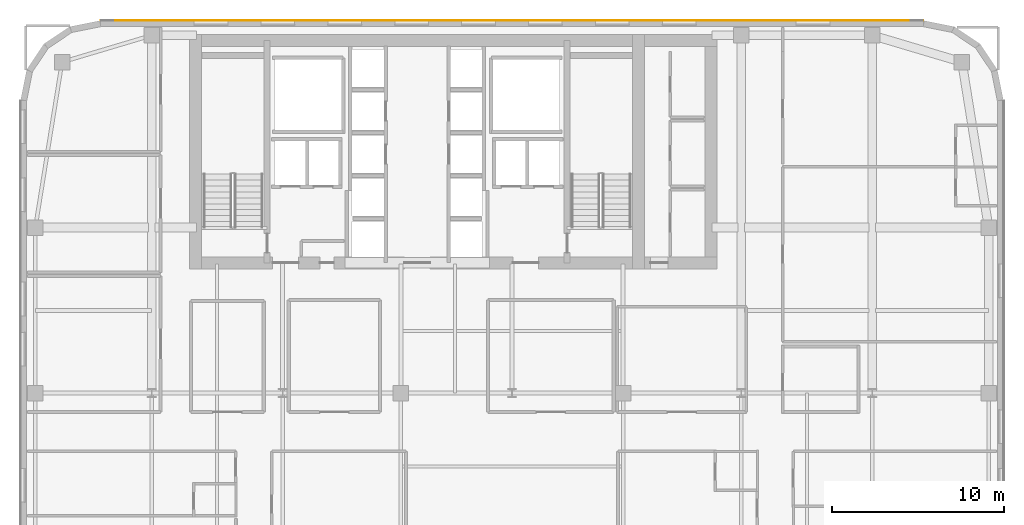
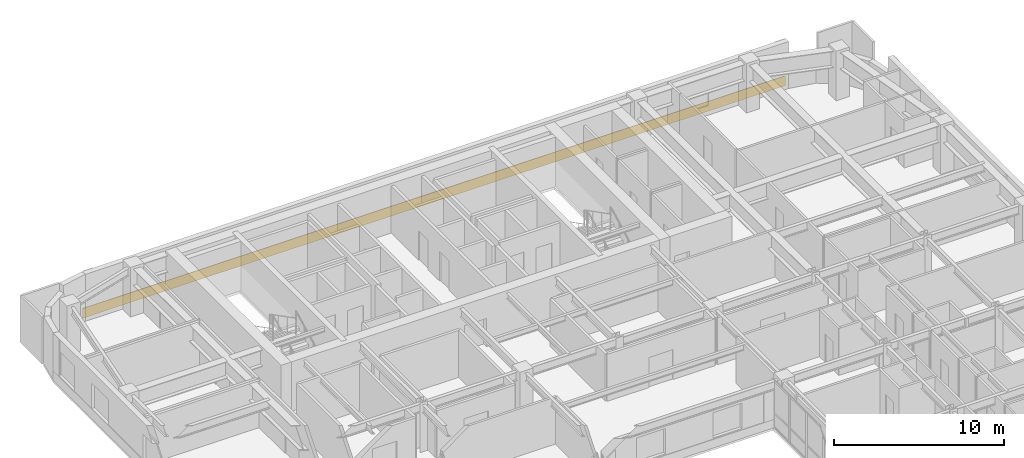
# One storey, part 24 of 25: 1 covering.
"""IFC4 building model written with IfcOpenShell, lengths in metres."""

from ifc_helpers import new_model, si_unit, direction, frame, origin, place, context, subcontext, project, spatial, polyline, outline, extrude, material, layer, layer_set, type_object, element, save


model = new_model("IFC4")

# Units and contexts
model_context = context("Model", 3, precision=1e-05, world=origin(), true_north=direction((0.0, 1.0)))
body_context = subcontext(model_context, "Body", "Model", "MODEL_VIEW")
ifc_project = project(units=[si_unit("LENGTHUNIT", "METRE"), si_unit("AREAUNIT", "SQUARE_METRE"), si_unit("VOLUMEUNIT", "CUBIC_METRE"), si_unit("PLANEANGLEUNIT", "RADIAN"), si_unit("MASSUNIT", "GRAM", prefix="KILO")], contexts=[model_context])

# Site, building, storey
site_placement = place(None, origin())
site = spatial("IfcSite", under=ifc_project, at=site_placement, CompositionType="ELEMENT")
building_placement = place(site_placement, origin())
building = spatial("IfcBuilding", under=site, at=building_placement, Name="Tolvann Quenvar Hotel", CompositionType="ELEMENT")
storey_placement = place(building_placement, frame((0.0, 0.0, 111.550048828125)))
storey = spatial("IfcBuildingStorey", under=building, at=storey_placement, Name="L28", CompositionType="ELEMENT", Elevation=111.550048828125)

# Covering
ifc_material = material(Name="Moulded buff architectural terracotta spandrel cladding", Category="masonry")
ifc_layer = layer(ifc_material, 0.0400390625)
ifc_layer_set = layer_set([ifc_layer], Name="Moulded buff architectural terracotta spandrel cladding")
covering_type = type_object("IfcCoveringType", Name="COV_CLAD_TERRA_40", PredefinedType="CLADDING", material=ifc_layer_set)
covering_placement = place(storey_placement, origin())
element("IfcCovering", 1, at=covering_placement, inside=storey, type_object=covering_type, Name="Terracotta Spandrel Cladding (L28-E18)", PredefinedType="CLADDING", context=body_context, shape_type="SweptSolid", body=[
    extrude(outline(polyline([(52.3427734375, 46.0), (4.6572265625, 46.0), (4.6572265625, 46.0400390625), (52.3427734375, 46.0400390625), (52.3427734375, 46.0)])), origin(), (0.0, 0.0, 1.0), 0.699951171875),
])

save(model, "model.ifc")
